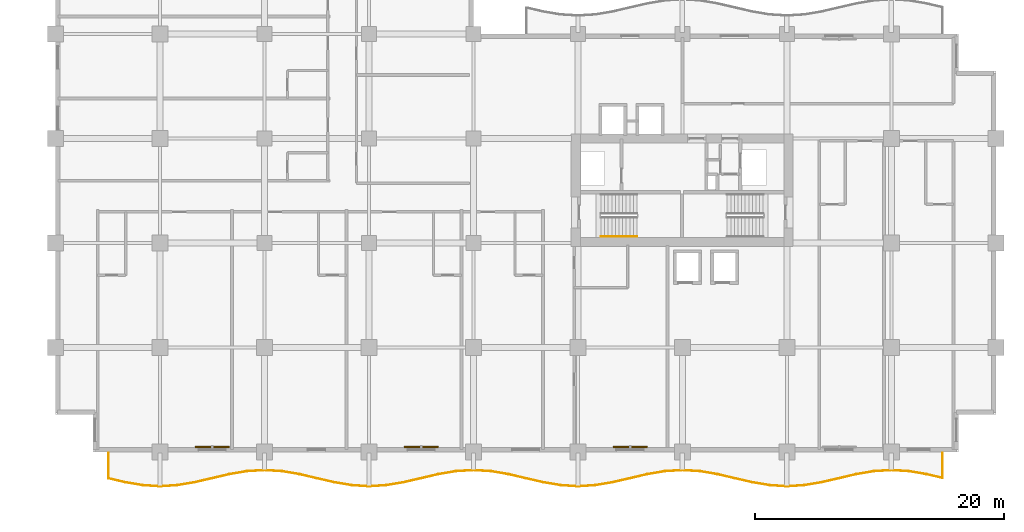
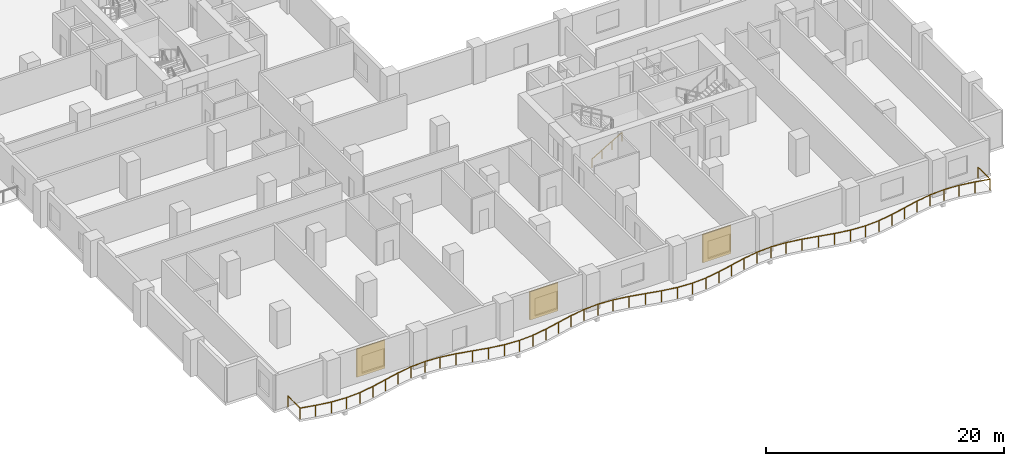
# One storey, part 18 of 21: 3 shading devices, 2 railings.
"""IFC4 building model written with IfcOpenShell, lengths in metres."""

from ifc_helpers import new_model, si_unit, direction, frame, origin, origin_2d, place, context, subcontext, project, spatial, rectangle, circle, extrude, material, layer, layer_set, type_object, element, save


model = new_model("IFC4")

# Units and contexts
model_context = context("Model", 3, precision=1e-05, world=origin(), true_north=direction((0.0, 1.0)))
body_context = subcontext(model_context, "Body", "Model", "MODEL_VIEW")
ifc_project = project(units=[si_unit("LENGTHUNIT", "METRE"), si_unit("AREAUNIT", "SQUARE_METRE"), si_unit("VOLUMEUNIT", "CUBIC_METRE"), si_unit("PLANEANGLEUNIT", "RADIAN"), si_unit("MASSUNIT", "GRAM", prefix="KILO")], contexts=[model_context])

# Site, building, storey
site_placement = place(None, origin())
site = spatial("IfcSite", under=ifc_project, at=site_placement, CompositionType="ELEMENT")
building_placement = place(site_placement, origin())
building = spatial("IfcBuilding", under=site, at=building_placement, Name="Koriwani Terraces Tower", CompositionType="ELEMENT")
storey_placement = place(building_placement, frame((0.0, 0.0, 111.39990234375)))
storey = spatial("IfcBuildingStorey", under=building, at=storey_placement, Name="L26", CompositionType="ELEMENT", Elevation=111.39990234375)

# Railings
ifc_material_1 = material(Name="Steel ASTM A572 Grade 50", Category="steel")
railing_type_1 = type_object("IfcRailingType", Name="GUARD_BALUSTRADE_1150", PredefinedType="BALUSTRADE", material=ifc_material_1)
railing_1_placement = place(storey_placement, frame((4.280029296875, -0.080078125, 0.0)))
element("IfcRailing", 1, at=railing_1_placement, inside=storey, type_object=railing_type_1, Name="L26 Balcony Perimeter Safety Balustrade (S)", PredefinedType="BALUSTRADE", context=body_context, shape_type="SweptSolid", body=[
    extrude(circle(Radius=0.02392578125, at=origin_2d()), frame((0.0, 0.0, 1.1259765625), z_axis=(0.0, -1.0, 0.0), x_axis=(1.0, 0.0, 0.0)), (0.0, 0.0, 1.0), 2.056396484375),
    extrude(circle(Radius=0.02392578125, at=origin_2d()), frame((0.0, -2.056396484375, 1.1259765625), z_axis=(0.974099301219, -0.226120656653, 0.0), x_axis=(0.226120656653, 0.974099301219, 0.0)), (0.0, 0.0, 1.0), 1.37109375),
    extrude(circle(Radius=0.02392578125, at=origin_2d()), frame((1.335693359375, -2.366455078125, 1.1259765625), z_axis=(0.985866118171, -0.167535062128, 0.0), x_axis=(0.167535062128, 0.985866118171, 0.0)), (0.0, 0.0, 1.0), 1.41357421875),
    extrude(circle(Radius=0.02392578125, at=origin_2d()), frame((2.729248046875, -2.603271484375, 1.1259765625), z_axis=(0.998074335174, -0.062029198499, 0.0), x_axis=(0.062029198499, 0.998074335174, 0.0)), (0.0, 0.0, 1.0), 1.393310546875),
    extrude(circle(Radius=0.02392578125, at=origin_2d()), frame((4.119873046875, -2.689697265625, 1.1259765625), z_axis=(0.998075009192, 0.062018352335, 0.0), x_axis=(-0.062018352335, 0.998075009192, 0.0)), (0.0, 0.0, 1.0), 1.3935546875),
    extrude(circle(Radius=0.02392578125, at=origin_2d()), frame((5.5107421875, -2.603271484375, 1.1259765625), z_axis=(0.985861269125, 0.167563594016, 0.0), x_axis=(-0.167563594016, 0.985861269125, 0.0)), (0.0, 0.0, 1.0), 1.413330078125),
    extrude(circle(Radius=0.02392578125, at=origin_2d()), frame((6.904052734375, -2.366455078125, 1.1259765625), z_axis=(0.974109892753, 0.226075024805, 0.0), x_axis=(-0.226075024805, 0.974109892753, 0.0)), (0.0, 0.0, 1.0), 2.874755859375),
    extrude(circle(Radius=0.02392578125, at=origin_2d()), frame((9.704345703125, -1.716552734375, 1.1259765625), z_axis=(0.985866306337, 0.167533954852, 0.0), x_axis=(-0.167533954852, 0.985866306337, 0.0)), (0.0, 0.0, 1.0), 1.4267578125),
    extrude(circle(Radius=0.02392578125, at=origin_2d()), frame((11.11083984375, -1.4775390625, 1.1259765625), z_axis=(0.9980820707, 0.061904605217, 0.0), x_axis=(-0.061904605217, 0.9980820707, 0.0)), (0.0, 0.0, 1.0), 1.411865234375),
    extrude(circle(Radius=0.02392578125, at=origin_2d()), frame((12.52001953125, -1.39013671875, 1.1259765625), z_axis=(0.9980820707, -0.061904605217, 0.0), x_axis=(0.061904605217, 0.9980820707, 0.0)), (0.0, 0.0, 1.0), 1.411865234375),
    extrude(circle(Radius=0.02392578125, at=origin_2d()), frame((13.92919921875, -1.4775390625, 1.1259765625), z_axis=(0.985866306337, -0.167533954852, 0.0), x_axis=(0.167533954852, 0.985866306337, 0.0)), (0.0, 0.0, 1.0), 1.4267578125),
    extrude(circle(Radius=0.02392578125, at=origin_2d()), frame((15.335693359375, -1.716552734375, 1.1259765625), z_axis=(0.974105551615, -0.226093729043, 0.0), x_axis=(0.226093729043, 0.974105551615, 0.0)), (0.0, 0.0, 1.0), 2.87451171875),
    extrude(circle(Radius=0.02392578125, at=origin_2d()), frame((18.1357421875, -2.366455078125, 1.1259765625), z_axis=(0.985861269125, -0.167563594016, 0.0), x_axis=(0.167563594016, 0.985861269125, 0.0)), (0.0, 0.0, 1.0), 1.413330078125),
    extrude(circle(Radius=0.02392578125, at=origin_2d()), frame((19.529052734375, -2.603271484375, 1.1259765625), z_axis=(0.998075009192, -0.062018352335, 0.0), x_axis=(0.062018352335, 0.998075009192, 0.0)), (0.0, 0.0, 1.0), 1.3935546875),
    extrude(circle(Radius=0.02392578125, at=origin_2d()), frame((20.919921875, -2.689697265625, 1.1259765625), z_axis=(0.998075009192, 0.062018352335, 0.0), x_axis=(-0.062018352335, 0.998075009192, 0.0)), (0.0, 0.0, 1.0), 1.3935546875),
    extrude(circle(Radius=0.02392578125, at=origin_2d()), frame((22.310791015625, -2.603271484375, 1.1259765625), z_axis=(0.985861269125, 0.167563594016, 0.0), x_axis=(-0.167563594016, 0.985861269125, 0.0)), (0.0, 0.0, 1.0), 1.413330078125),
    extrude(circle(Radius=0.02392578125, at=origin_2d()), frame((23.7041015625, -2.366455078125, 1.1259765625), z_axis=(0.974105551615, 0.226093729043, 0.0), x_axis=(-0.226093729043, 0.974105551615, 0.0)), (0.0, 0.0, 1.0), 2.87451171875),
    extrude(circle(Radius=0.02392578125, at=origin_2d()), frame((26.504150390625, -1.716552734375, 1.1259765625), z_axis=(0.985871108269, 0.16750569507, 0.0), x_axis=(-0.16750569507, 0.985871108269, 0.0)), (0.0, 0.0, 1.0), 1.427001953125),
    extrude(circle(Radius=0.02392578125, at=origin_2d()), frame((27.910888671875, -1.4775390625, 1.1259765625), z_axis=(0.9980820707, 0.061904605217, 0.0), x_axis=(-0.061904605217, 0.9980820707, 0.0)), (0.0, 0.0, 1.0), 1.411865234375),
    extrude(circle(Radius=0.02392578125, at=origin_2d()), frame((29.320068359375, -1.39013671875, 1.1259765625), z_axis=(0.9980820707, -0.061904605217, 0.0), x_axis=(0.061904605217, 0.9980820707, 0.0)), (0.0, 0.0, 1.0), 1.411865234375),
    extrude(circle(Radius=0.02392578125, at=origin_2d()), frame((30.729248046875, -1.4775390625, 1.1259765625), z_axis=(0.985866306337, -0.167533954852, 0.0), x_axis=(0.167533954852, 0.985866306337, 0.0)), (0.0, 0.0, 1.0), 1.4267578125),
    extrude(circle(Radius=0.02392578125, at=origin_2d()), frame((32.1357421875, -1.716552734375, 1.1259765625), z_axis=(0.974105551615, -0.226093729043, 0.0), x_axis=(0.226093729043, 0.974105551615, 0.0)), (0.0, 0.0, 1.0), 2.87451171875),
    extrude(circle(Radius=0.02392578125, at=origin_2d()), frame((34.935791015625, -2.366455078125, 1.1259765625), z_axis=(0.985861269125, -0.167563594016, 0.0), x_axis=(0.167563594016, 0.985861269125, 0.0)), (0.0, 0.0, 1.0), 1.413330078125),
    extrude(circle(Radius=0.02392578125, at=origin_2d()), frame((36.3291015625, -2.603271484375, 1.1259765625), z_axis=(0.998075009192, -0.062018352335, 0.0), x_axis=(0.062018352335, 0.998075009192, 0.0)), (0.0, 0.0, 1.0), 1.3935546875),
    extrude(circle(Radius=0.02392578125, at=origin_2d()), frame((37.719970703125, -2.689697265625, 1.1259765625), z_axis=(0.998075009192, 0.062018352335, 0.0), x_axis=(-0.062018352335, 0.998075009192, 0.0)), (0.0, 0.0, 1.0), 1.3935546875),
    extrude(circle(Radius=0.02392578125, at=origin_2d()), frame((39.11083984375, -2.603271484375, 1.1259765625), z_axis=(0.985861269125, 0.167563594016, 0.0), x_axis=(-0.167563594016, 0.985861269125, 0.0)), (0.0, 0.0, 1.0), 1.413330078125),
    extrude(circle(Radius=0.02392578125, at=origin_2d()), frame((40.504150390625, -2.366455078125, 1.1259765625), z_axis=(0.974105551615, 0.226093729043, 0.0), x_axis=(-0.226093729043, 0.974105551615, 0.0)), (0.0, 0.0, 1.0), 2.87451171875),
    extrude(circle(Radius=0.02392578125, at=origin_2d()), frame((43.30419921875, -1.716552734375, 1.1259765625), z_axis=(0.985866306337, 0.167533954852, 0.0), x_axis=(-0.167533954852, 0.985866306337, 0.0)), (0.0, 0.0, 1.0), 1.4267578125),
    extrude(circle(Radius=0.02392578125, at=origin_2d()), frame((44.710693359375, -1.4775390625, 1.1259765625), z_axis=(0.9980820707, 0.061904605217, 0.0), x_axis=(-0.061904605217, 0.9980820707, 0.0)), (0.0, 0.0, 1.0), 1.411865234375),
    extrude(circle(Radius=0.02392578125, at=origin_2d()), frame((46.119873046875, -1.39013671875, 1.1259765625), z_axis=(0.9980820707, -0.061904605217, 0.0), x_axis=(0.061904605217, 0.9980820707, 0.0)), (0.0, 0.0, 1.0), 1.411865234375),
    extrude(circle(Radius=0.02392578125, at=origin_2d()), frame((47.529052734375, -1.4775390625, 1.1259765625), z_axis=(0.985871108269, -0.16750569507, 0.0), x_axis=(0.16750569507, 0.985871108269, 0.0)), (0.0, 0.0, 1.0), 1.427001953125),
    extrude(circle(Radius=0.02392578125, at=origin_2d()), frame((48.935791015625, -1.716552734375, 1.1259765625), z_axis=(0.974105551615, -0.226093729043, 0.0), x_axis=(0.226093729043, 0.974105551615, 0.0)), (0.0, 0.0, 1.0), 2.87451171875),
    extrude(circle(Radius=0.02392578125, at=origin_2d()), frame((51.73583984375, -2.366455078125, 1.1259765625), z_axis=(0.985861269125, -0.167563594016, 0.0), x_axis=(0.167563594016, 0.985861269125, 0.0)), (0.0, 0.0, 1.0), 1.413330078125),
    extrude(circle(Radius=0.02392578125, at=origin_2d()), frame((53.129150390625, -2.603271484375, 1.1259765625), z_axis=(0.998075009192, -0.062018352335, 0.0), x_axis=(0.062018352335, 0.998075009192, 0.0)), (0.0, 0.0, 1.0), 1.3935546875),
    extrude(circle(Radius=0.02392578125, at=origin_2d()), frame((54.52001953125, -2.689697265625, 1.1259765625), z_axis=(0.998075009192, 0.062018352335, 0.0), x_axis=(-0.062018352335, 0.998075009192, 0.0)), (0.0, 0.0, 1.0), 1.3935546875),
    extrude(circle(Radius=0.02392578125, at=origin_2d()), frame((55.910888671875, -2.603271484375, 1.1259765625), z_axis=(0.985861269125, 0.167563594016, 0.0), x_axis=(-0.167563594016, 0.985861269125, 0.0)), (0.0, 0.0, 1.0), 1.413330078125),
    extrude(circle(Radius=0.02392578125, at=origin_2d()), frame((57.30419921875, -2.366455078125, 1.1259765625), z_axis=(0.974105551615, 0.226093729043, 0.0), x_axis=(-0.226093729043, 0.974105551615, 0.0)), (0.0, 0.0, 1.0), 2.87451171875),
    extrude(circle(Radius=0.02392578125, at=origin_2d()), frame((60.104248046875, -1.716552734375, 1.1259765625), z_axis=(0.985866306337, 0.167533954852, 0.0), x_axis=(-0.167533954852, 0.985866306337, 0.0)), (0.0, 0.0, 1.0), 1.4267578125),
    extrude(circle(Radius=0.02392578125, at=origin_2d()), frame((61.5107421875, -1.4775390625, 1.1259765625), z_axis=(0.9980820707, 0.061904605217, 0.0), x_axis=(-0.061904605217, 0.9980820707, 0.0)), (0.0, 0.0, 1.0), 1.411865234375),
    extrude(circle(Radius=0.02392578125, at=origin_2d()), frame((62.919921875, -1.39013671875, 1.1259765625), z_axis=(0.9980820707, -0.061904605217, 0.0), x_axis=(0.061904605217, 0.9980820707, 0.0)), (0.0, 0.0, 1.0), 1.411865234375),
    extrude(circle(Radius=0.02392578125, at=origin_2d()), frame((64.3291015625, -1.4775390625, 1.1259765625), z_axis=(0.985866306337, -0.167533954852, 0.0), x_axis=(0.167533954852, 0.985866306337, 0.0)), (0.0, 0.0, 1.0), 1.4267578125),
    extrude(circle(Radius=0.02392578125, at=origin_2d()), frame((65.735595703125, -1.716552734375, 1.1259765625), z_axis=(0.974110823857, -0.226071012836, 0.0), x_axis=(0.226071012836, 0.974110823857, 0.0)), (0.0, 0.0, 1.0), 1.339111328125),
    extrude(circle(Radius=0.02392578125, at=origin_2d()), frame((67.0400390625, -2.019287109375, 1.1259765625), z_axis=(0.0, 1.0, 0.0), x_axis=(-1.0, 0.0, 0.0)), (0.0, 0.0, 1.0), 2.019287109375),
    extrude(circle(Radius=0.02099609375, at=origin_2d()), origin(), (0.0, 0.0, 1.0), 1.101806640625),
    extrude(circle(Radius=0.02099609375, at=origin_2d()), frame((0.0, -2.056396484375, 0.0)), (0.0, 0.0, 1.0), 1.101806640625),
    extrude(circle(Radius=0.02099609375, at=origin_2d()), frame((1.335693359375, -2.366455078125, 0.0)), (0.0, 0.0, 1.0), 1.101806640625),
    extrude(circle(Radius=0.02099609375, at=origin_2d()), frame((2.729248046875, -2.603271484375, 0.0)), (0.0, 0.0, 1.0), 1.101806640625),
    extrude(circle(Radius=0.02099609375, at=origin_2d()), frame((4.119873046875, -2.689697265625, 0.0)), (0.0, 0.0, 1.0), 1.101806640625),
    extrude(circle(Radius=0.02099609375, at=origin_2d()), frame((5.5107421875, -2.603271484375, 0.0)), (0.0, 0.0, 1.0), 1.101806640625),
    extrude(circle(Radius=0.02099609375, at=origin_2d()), frame((6.904052734375, -2.366455078125, 0.0)), (0.0, 0.0, 1.0), 1.101806640625),
    extrude(circle(Radius=0.02099609375, at=origin_2d()), frame((8.30419921875, -2.04150390625, 0.0)), (0.0, 0.0, 1.0), 1.101806640625),
    extrude(circle(Radius=0.02099609375, at=origin_2d()), frame((9.704345703125, -1.716552734375, 0.0)), (0.0, 0.0, 1.0), 1.101806640625),
    extrude(circle(Radius=0.02099609375, at=origin_2d()), frame((11.11083984375, -1.4775390625, 0.0)), (0.0, 0.0, 1.0), 1.101806640625),
    extrude(circle(Radius=0.02099609375, at=origin_2d()), frame((12.52001953125, -1.39013671875, 0.0)), (0.0, 0.0, 1.0), 1.101806640625),
    extrude(circle(Radius=0.02099609375, at=origin_2d()), frame((13.92919921875, -1.4775390625, 0.0)), (0.0, 0.0, 1.0), 1.101806640625),
    extrude(circle(Radius=0.02099609375, at=origin_2d()), frame((15.335693359375, -1.716552734375, 0.0)), (0.0, 0.0, 1.0), 1.101806640625),
    extrude(circle(Radius=0.02099609375, at=origin_2d()), frame((16.73583984375, -2.04150390625, 0.0)), (0.0, 0.0, 1.0), 1.101806640625),
    extrude(circle(Radius=0.02099609375, at=origin_2d()), frame((18.1357421875, -2.366455078125, 0.0)), (0.0, 0.0, 1.0), 1.101806640625),
    extrude(circle(Radius=0.02099609375, at=origin_2d()), frame((19.529052734375, -2.603271484375, 0.0)), (0.0, 0.0, 1.0), 1.101806640625),
    extrude(circle(Radius=0.02099609375, at=origin_2d()), frame((20.919921875, -2.689697265625, 0.0)), (0.0, 0.0, 1.0), 1.101806640625),
    extrude(circle(Radius=0.02099609375, at=origin_2d()), frame((22.310791015625, -2.603271484375, 0.0)), (0.0, 0.0, 1.0), 1.101806640625),
    extrude(circle(Radius=0.02099609375, at=origin_2d()), frame((23.7041015625, -2.366455078125, 0.0)), (0.0, 0.0, 1.0), 1.101806640625),
    extrude(circle(Radius=0.02099609375, at=origin_2d()), frame((25.10400390625, -2.04150390625, 0.0)), (0.0, 0.0, 1.0), 1.101806640625),
    extrude(circle(Radius=0.02099609375, at=origin_2d()), frame((26.504150390625, -1.716552734375, 0.0)), (0.0, 0.0, 1.0), 1.101806640625),
    extrude(circle(Radius=0.02099609375, at=origin_2d()), frame((27.910888671875, -1.4775390625, 0.0)), (0.0, 0.0, 1.0), 1.101806640625),
    extrude(circle(Radius=0.02099609375, at=origin_2d()), frame((29.320068359375, -1.39013671875, 0.0)), (0.0, 0.0, 1.0), 1.101806640625),
    extrude(circle(Radius=0.02099609375, at=origin_2d()), frame((30.729248046875, -1.4775390625, 0.0)), (0.0, 0.0, 1.0), 1.101806640625),
    extrude(circle(Radius=0.02099609375, at=origin_2d()), frame((32.1357421875, -1.716552734375, 0.0)), (0.0, 0.0, 1.0), 1.101806640625),
    extrude(circle(Radius=0.02099609375, at=origin_2d()), frame((33.53564453125, -2.04150390625, 0.0)), (0.0, 0.0, 1.0), 1.101806640625),
    extrude(circle(Radius=0.02099609375, at=origin_2d()), frame((34.935791015625, -2.366455078125, 0.0)), (0.0, 0.0, 1.0), 1.101806640625),
    extrude(circle(Radius=0.02099609375, at=origin_2d()), frame((36.3291015625, -2.603271484375, 0.0)), (0.0, 0.0, 1.0), 1.101806640625),
    extrude(circle(Radius=0.02099609375, at=origin_2d()), frame((37.719970703125, -2.689697265625, 0.0)), (0.0, 0.0, 1.0), 1.101806640625),
    extrude(circle(Radius=0.02099609375, at=origin_2d()), frame((39.11083984375, -2.603271484375, 0.0)), (0.0, 0.0, 1.0), 1.101806640625),
    extrude(circle(Radius=0.02099609375, at=origin_2d()), frame((40.504150390625, -2.366455078125, 0.0)), (0.0, 0.0, 1.0), 1.101806640625),
    extrude(circle(Radius=0.02099609375, at=origin_2d()), frame((41.904296875, -2.04150390625, 0.0)), (0.0, 0.0, 1.0), 1.101806640625),
    extrude(circle(Radius=0.02099609375, at=origin_2d()), frame((43.30419921875, -1.716552734375, 0.0)), (0.0, 0.0, 1.0), 1.101806640625),
    extrude(circle(Radius=0.02099609375, at=origin_2d()), frame((44.710693359375, -1.4775390625, 0.0)), (0.0, 0.0, 1.0), 1.101806640625),
    extrude(circle(Radius=0.02099609375, at=origin_2d()), frame((46.119873046875, -1.39013671875, 0.0)), (0.0, 0.0, 1.0), 1.101806640625),
    extrude(circle(Radius=0.02099609375, at=origin_2d()), frame((47.529052734375, -1.4775390625, 0.0)), (0.0, 0.0, 1.0), 1.101806640625),
    extrude(circle(Radius=0.02099609375, at=origin_2d()), frame((48.935791015625, -1.716552734375, 0.0)), (0.0, 0.0, 1.0), 1.101806640625),
    extrude(circle(Radius=0.02099609375, at=origin_2d()), frame((50.3359375, -2.04150390625, 0.0)), (0.0, 0.0, 1.0), 1.101806640625),
    extrude(circle(Radius=0.02099609375, at=origin_2d()), frame((51.73583984375, -2.366455078125, 0.0)), (0.0, 0.0, 1.0), 1.101806640625),
    extrude(circle(Radius=0.02099609375, at=origin_2d()), frame((53.129150390625, -2.603271484375, 0.0)), (0.0, 0.0, 1.0), 1.101806640625),
    extrude(circle(Radius=0.02099609375, at=origin_2d()), frame((54.52001953125, -2.689697265625, 0.0)), (0.0, 0.0, 1.0), 1.101806640625),
    extrude(circle(Radius=0.02099609375, at=origin_2d()), frame((55.910888671875, -2.603271484375, 0.0)), (0.0, 0.0, 1.0), 1.101806640625),
    extrude(circle(Radius=0.02099609375, at=origin_2d()), frame((57.30419921875, -2.366455078125, 0.0)), (0.0, 0.0, 1.0), 1.101806640625),
    extrude(circle(Radius=0.02099609375, at=origin_2d()), frame((58.7041015625, -2.04150390625, 0.0)), (0.0, 0.0, 1.0), 1.101806640625),
    extrude(circle(Radius=0.02099609375, at=origin_2d()), frame((60.104248046875, -1.716552734375, 0.0)), (0.0, 0.0, 1.0), 1.101806640625),
    extrude(circle(Radius=0.02099609375, at=origin_2d()), frame((61.5107421875, -1.4775390625, 0.0)), (0.0, 0.0, 1.0), 1.101806640625),
    extrude(circle(Radius=0.02099609375, at=origin_2d()), frame((62.919921875, -1.39013671875, 0.0)), (0.0, 0.0, 1.0), 1.101806640625),
    extrude(circle(Radius=0.02099609375, at=origin_2d()), frame((64.3291015625, -1.4775390625, 0.0)), (0.0, 0.0, 1.0), 1.101806640625),
    extrude(circle(Radius=0.02099609375, at=origin_2d()), frame((65.735595703125, -1.716552734375, 0.0)), (0.0, 0.0, 1.0), 1.101806640625),
    extrude(circle(Radius=0.02099609375, at=origin_2d()), frame((67.0400390625, -2.019287109375, 0.0)), (0.0, 0.0, 1.0), 1.101806640625),
    extrude(circle(Radius=0.02099609375, at=origin_2d()), frame((67.0400390625, 0.0, 0.0)), (0.0, 0.0, 1.0), 1.101806640625),
])
railing_type_2 = type_object("IfcRailingType", Name="HANDRAIL_STAIR_920", PredefinedType="HANDRAIL", material=ifc_material_1)
railing_2_placement = place(storey_placement, frame((43.85009765625, 17.300048828125, 0.1728515625)))
element("IfcRailing", 2, at=railing_2_placement, inside=storey, type_object=railing_type_2, Name="L26 ST-E1 stair handrail 1", PredefinedType="HANDRAIL", context=body_context, shape_type="SweptSolid", body=[
    extrude(circle(Radius=0.02392578125, at=origin_2d()), frame((0.0, 0.0, 0.8759765625), z_axis=(0.859141464434, 0.0, 0.511738159696), x_axis=(0.0, 1.0, 0.0)), (0.0, 0.0, 1.0), 3.375244140625),
    extrude(circle(Radius=0.02099609375, at=origin_2d()), origin(), (0.0, 0.0, 1.0), 0.851806640625),
    extrude(circle(Radius=0.02099609375, at=origin_2d()), frame((0.966552734375, 0.0, 0.57568359375)), (0.0, 0.0, 1.0), 0.851806640625),
    extrude(circle(Radius=0.02099609375, at=origin_2d()), frame((1.933349609375, 0.0, 1.151611328125)), (0.0, 0.0, 1.0), 0.851806640625),
    extrude(circle(Radius=0.02099609375, at=origin_2d()), frame((2.89990234375, 0.0, 1.727294921875)), (0.0, 0.0, 1.0), 0.851806640625),
])

# Shading devices
ifc_material_2 = material(Name="Extruded Terracotta Clay", Category="masonry")
ifc_layer = layer(ifc_material_2, 0.1201171875, Name="Extruded Terracotta Clay")
ifc_layer_set = layer_set([ifc_layer], Name="Extruded Terracotta Clay")
shading_device_type = type_object("IfcShadingDeviceType", Name="TERRACOTTA_BAGUETTE_SCREEN_2800", PredefinedType="USERDEFINED", material=ifc_layer_set)
for number, where, z_axis, x_axis, name in (
    (3, (12.60009765625, 0.405029296875, 0.3251953125), (0.0, 0.0, 1.0), (-1.0, 0.0, 0.0), "L26 Extruded Terracotta Baguette Screen (S-3)"),
    (4, (29.39990234375, 0.405029296875, 0.3251953125), (0.0, 0.0, 1.0), (-1.0, 0.0, 0.0), "L26 Extruded Terracotta Baguette Screen (S-9)"),
    (5, (46.199951171875, 0.405029296875, 0.3251953125), (0.0, 0.0, 1.0), (-1.0, 0.0, 0.0), "L26 Extruded Terracotta Baguette Screen (S-15)"),
):
    element("IfcShadingDevice", number, at=place(storey_placement, frame(where, z_axis=z_axis, x_axis=x_axis)), inside=storey, type_object=shading_device_type, Name=name, ObjectType="BAGUETTE", PredefinedType="USERDEFINED", context=body_context, shape_type="SweptSolid", body=[
        extrude(rectangle(XDim=2.760009765625, YDim=0.1201171875, at=origin_2d()), origin(), (0.0, 0.0, 1.0), 2.89990234375),
    ])

save(model, "model.ifc")
